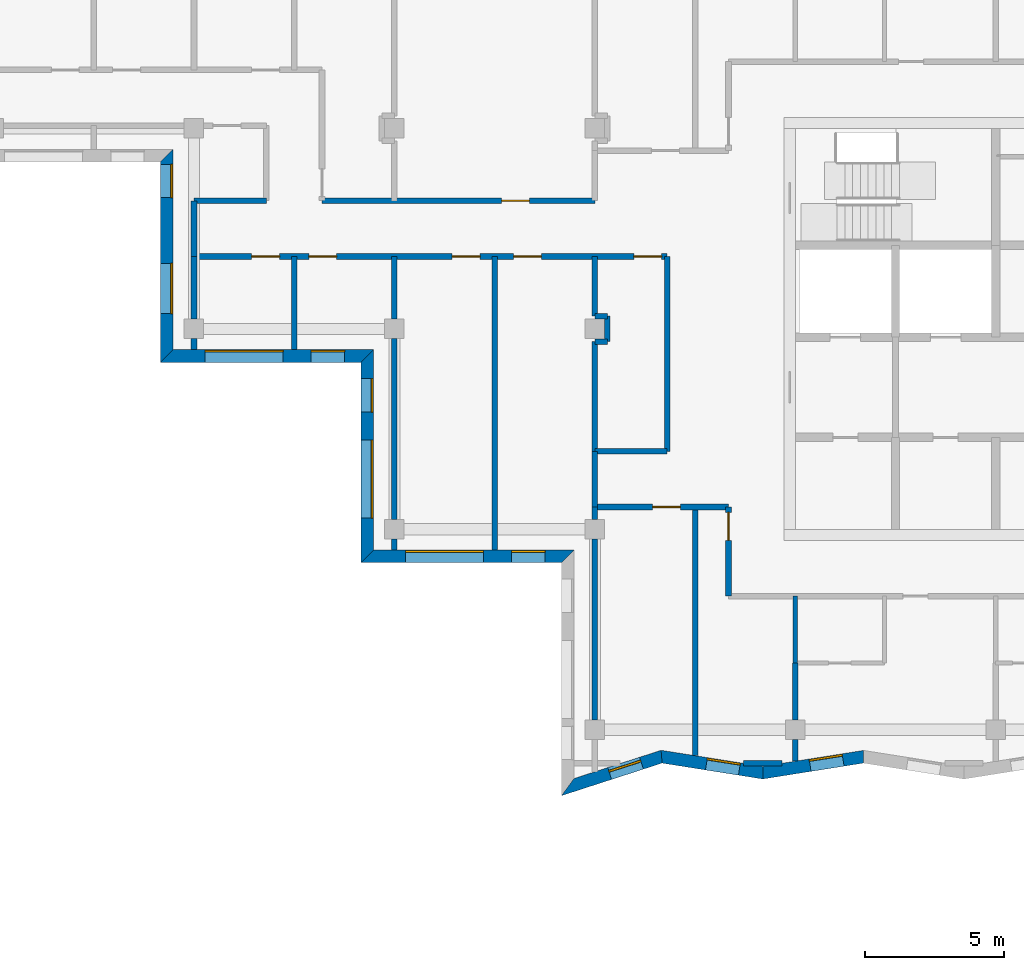
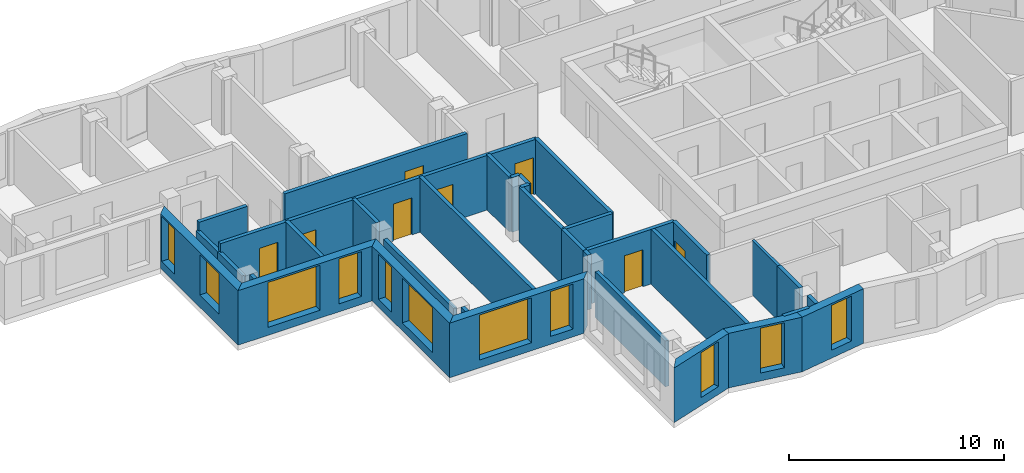
# One storey, part 2 of 12: 35 walls, 11 windows, 8 doors, 19 openings.
"""IFC4 building model written with IfcOpenShell, lengths in metres."""

from ifc_helpers import new_model, si_unit, direction, frame, frame_2d, origin, place, context, subcontext, project, spatial, polyline, rectangle, outline, extrude, material, layer, layer_set, type_object, element, fill, save


model = new_model("IFC4")

# Units and contexts
model_context = context("Model", 3, precision=1e-05, world=origin(), true_north=direction((0.0, 1.0)))
body_context = subcontext(model_context, "Body", "Model", "MODEL_VIEW")
ifc_project = project(units=[si_unit("LENGTHUNIT", "METRE"), si_unit("AREAUNIT", "SQUARE_METRE"), si_unit("VOLUMEUNIT", "CUBIC_METRE"), si_unit("PLANEANGLEUNIT", "RADIAN"), si_unit("MASSUNIT", "GRAM", prefix="KILO")], contexts=[model_context])

# Site, building, storey
site_placement = place(None, origin())
site = spatial("IfcSite", under=ifc_project, at=site_placement, CompositionType="ELEMENT")
building_placement = place(site_placement, origin())
building = spatial("IfcBuilding", under=site, at=building_placement, Name="Windrow Commons", CompositionType="ELEMENT")
storey_placement = place(building_placement, frame((0.0, 0.0, 274.4)))
storey = spatial("IfcBuildingStorey", under=building, at=storey_placement, Name="L75", CompositionType="ELEMENT", Elevation=274.4)

# Wall, openings, windows
ifc_material_1 = material(Name="Brick masonry, red clay brick", Category="masonry")
ifc_layer_1 = layer(ifc_material_1, 0.45)
ifc_layer_set_1 = layer_set([ifc_layer_1], Name="Brick facade wall 450")
wall_type_1 = type_object("IfcWallType", Name="Brick facade wall 450", PredefinedType="SOLIDWALL", material=ifc_layer_set_1)
wall_1_placement = place(storey_placement, frame((35.025, 63.825, 0.0), z_axis=(0.0, 0.0, 1.0), x_axis=(0.0, -1.0, 0.0)))
wall_1 = element("IfcWall", 1, at=wall_1_placement, inside=storey, type_object=wall_type_1, Name="Brick facade wall L75 31", PredefinedType="SOLIDWALL", context=body_context, shape_type="SweptSolid", body=[
    extrude(outline(polyline([(0.225, -0.225), (7.425, -0.225), (6.975, 0.225), (-0.225, 0.225), (0.225, -0.225)])), origin(), (0.0, 0.0, 1.0), 3.1),
])
opening_1_placement = place(wall_1_placement, frame((0.3125, 0.0, 0.45)))
opening_1 = element("IfcOpeningElement", 2, at=opening_1_placement, cuts=wall_1, Name="Opening W7F", PredefinedType="OPENING", context=body_context, shape_type="SweptSolid", body=[
    extrude(rectangle(XDim=1.2, YDim=2.55, at=frame_2d((0.6, 1.275))), frame((0.0, 0.235, 0.0), z_axis=(0.0, -1.0, 0.0), x_axis=(1.0, 0.0, 0.0)), (0.0, 0.0, 1.0), 0.47),
])
opening_2_placement = place(wall_1_placement, frame((3.875, 0.0, 0.7)))
opening_2 = element("IfcOpeningElement", 3, at=opening_2_placement, cuts=wall_1, Name="Opening W1C", PredefinedType="OPENING", context=body_context, shape_type="SweptSolid", body=[
    extrude(rectangle(XDim=1.8, YDim=2.3, at=frame_2d((0.9, 1.15))), frame((0.0, 0.235, 0.0), z_axis=(0.0, -1.0, 0.0), x_axis=(1.0, 0.0, 0.0)), (0.0, 0.0, 1.0), 0.47),
])
ifc_material_2 = material(Name="Clear float glass in anodised aluminium frame", Category="aluminium")
window_type_1 = type_object("IfcWindowType", Name="Window W1 bedroom 1800x2300", PartitioningType="SINGLE_PANEL", PredefinedType="WINDOW", material=ifc_material_2)
window_1_placement = place(opening_2_placement, origin())
window_1 = element("IfcWindow", 4, at=window_1_placement, inside=storey, type_object=window_type_1, Name="Window L75 31.1A", OverallHeight=2.3, OverallWidth=1.8, PartitioningType="SINGLE_PANEL", PredefinedType="WINDOW", context=body_context, shape_type="SweptSolid", body=[
    extrude(rectangle(XDim=1.8, YDim=2.3, at=frame_2d((0.9, 1.15))), frame((0.0, 0.205, 0.0), z_axis=(0.0, -1.0, 0.0), x_axis=(1.0, 0.0, 0.0)), (0.0, 0.0, 1.0), 0.06),
])
fill(opening_2, window_1)
ifc_material_3 = material(Name="Clear float glass in anodised aluminium frame", Category="aluminium")
window_type_2 = type_object("IfcWindowType", Name="Window W7 notch 1200x2550", PartitioningType="SINGLE_PANEL", PredefinedType="WINDOW", material=ifc_material_3)
window_2_placement = place(opening_1_placement, origin())
window_2 = element("IfcWindow", 5, at=window_2_placement, inside=storey, type_object=window_type_2, Name="Window L75 31.2", OverallHeight=2.55, OverallWidth=1.2, PartitioningType="SINGLE_PANEL", PredefinedType="WINDOW", context=body_context, shape_type="SweptSolid", body=[
    extrude(rectangle(XDim=1.2, YDim=2.55, at=frame_2d((0.6, 1.275))), frame((0.0, 0.205, 0.0), z_axis=(0.0, -1.0, 0.0), x_axis=(1.0, 0.0, 0.0)), (0.0, 0.0, 1.0), 0.06),
])
fill(opening_1, window_2)

wall_2_placement = place(storey_placement, frame((35.025, 56.625, 0.0), z_axis=(0.0, 0.0, 1.0), x_axis=(1.0, 0.0, 0.0)))
wall_2 = element("IfcWall", 6, at=wall_2_placement, inside=storey, type_object=wall_type_1, Name="Brick facade wall L75 32", PredefinedType="SOLIDWALL", context=body_context, shape_type="SweptSolid", body=[
    extrude(outline(polyline([(-0.225, -0.225), (6.975, -0.225), (7.425, 0.225), (0.225, 0.225), (-0.225, -0.225)])), origin(), (0.0, 0.0, 1.0), 3.1),
])
opening_3_placement = place(wall_2_placement, frame((1.375, 0.0, 0.45)))
opening_3 = element("IfcOpeningElement", 7, at=opening_3_placement, cuts=wall_2, Name="Opening W1V", PredefinedType="OPENING", context=body_context, shape_type="SweptSolid", body=[
    extrude(rectangle(XDim=2.8, YDim=2.55, at=frame_2d((1.4, 1.275))), frame((0.0, 0.235, 0.0), z_axis=(0.0, -1.0, 0.0), x_axis=(1.0, 0.0, 0.0)), (0.0, 0.0, 1.0), 0.47),
])
opening_4_placement = place(wall_2_placement, frame((5.1875, 0.0, 0.45)))
opening_4 = element("IfcOpeningElement", 8, at=opening_4_placement, cuts=wall_2, Name="Opening W7F", PredefinedType="OPENING", context=body_context, shape_type="SweptSolid", body=[
    extrude(rectangle(XDim=1.2, YDim=2.55, at=frame_2d((0.6, 1.275))), frame((0.0, 0.235, 0.0), z_axis=(0.0, -1.0, 0.0), x_axis=(1.0, 0.0, 0.0)), (0.0, 0.0, 1.0), 0.47),
])
ifc_material_4 = material(Name="Clear float glass in anodised aluminium frame", Category="aluminium")
window_type_3 = type_object("IfcWindowType", Name="Window W1V bedroom 2800x2550", PartitioningType="SINGLE_PANEL", PredefinedType="WINDOW", material=ifc_material_4)
window_3_placement = place(opening_3_placement, origin())
window_3 = element("IfcWindow", 9, at=window_3_placement, inside=storey, type_object=window_type_3, Name="Window L75 32.1", OverallHeight=2.55, OverallWidth=2.8, PartitioningType="SINGLE_PANEL", PredefinedType="WINDOW", context=body_context, shape_type="SweptSolid", body=[
    extrude(rectangle(XDim=2.8, YDim=2.55, at=frame_2d((1.4, 1.275))), frame((0.0, 0.205, 0.0), z_axis=(0.0, -1.0, 0.0), x_axis=(1.0, 0.0, 0.0)), (0.0, 0.0, 1.0), 0.06),
])
fill(opening_3, window_3)
window_4_placement = place(opening_4_placement, origin())
window_4 = element("IfcWindow", 10, at=window_4_placement, inside=storey, type_object=window_type_2, Name="Window L75 32.2", OverallHeight=2.55, OverallWidth=1.2, PartitioningType="SINGLE_PANEL", PredefinedType="WINDOW", context=body_context, shape_type="SweptSolid", body=[
    extrude(rectangle(XDim=1.2, YDim=2.55, at=frame_2d((0.6, 1.275))), frame((0.0, 0.205, 0.0), z_axis=(0.0, -1.0, 0.0), x_axis=(1.0, 0.0, 0.0)), (0.0, 0.0, 1.0), 0.06),
])
fill(opening_4, window_4)

wall_3_placement = place(storey_placement, frame((42.225, 56.625, 0.0), z_axis=(0.0, 0.0, 1.0), x_axis=(0.0, -1.0, 0.0)))
wall_3 = element("IfcWall", 11, at=wall_3_placement, inside=storey, type_object=wall_type_1, Name="Brick facade wall L75 33", PredefinedType="SOLIDWALL", context=body_context, shape_type="SweptSolid", body=[
    extrude(outline(polyline([(0.225, -0.225), (7.425, -0.225), (6.975, 0.225), (-0.225, 0.225), (0.225, -0.225)])), origin(), (0.0, 0.0, 1.0), 3.1),
])
opening_5_placement = place(wall_3_placement, frame((3.025, 0.0, 0.45)))
opening_5 = element("IfcOpeningElement", 12, at=opening_5_placement, cuts=wall_3, Name="Opening W1V", PredefinedType="OPENING", context=body_context, shape_type="SweptSolid", body=[
    extrude(rectangle(XDim=2.8, YDim=2.55, at=frame_2d((1.4, 1.275))), frame((0.0, 0.235, 0.0), z_axis=(0.0, -1.0, 0.0), x_axis=(1.0, 0.0, 0.0)), (0.0, 0.0, 1.0), 0.47),
])
opening_6_placement = place(wall_3_placement, frame((0.8125, 0.0, 0.45)))
opening_6 = element("IfcOpeningElement", 13, at=opening_6_placement, cuts=wall_3, Name="Opening W7F", PredefinedType="OPENING", context=body_context, shape_type="SweptSolid", body=[
    extrude(rectangle(XDim=1.2, YDim=2.55, at=frame_2d((0.6, 1.275))), frame((0.0, 0.235, 0.0), z_axis=(0.0, -1.0, 0.0), x_axis=(1.0, 0.0, 0.0)), (0.0, 0.0, 1.0), 0.47),
])
window_5_placement = place(opening_5_placement, origin())
window_5 = element("IfcWindow", 14, at=window_5_placement, inside=storey, type_object=window_type_3, Name="Window L75 33.1", OverallHeight=2.55, OverallWidth=2.8, PartitioningType="SINGLE_PANEL", PredefinedType="WINDOW", context=body_context, shape_type="SweptSolid", body=[
    extrude(rectangle(XDim=2.8, YDim=2.55, at=frame_2d((1.4, 1.275))), frame((0.0, 0.205, 0.0), z_axis=(0.0, -1.0, 0.0), x_axis=(1.0, 0.0, 0.0)), (0.0, 0.0, 1.0), 0.06),
])
fill(opening_5, window_5)
window_6_placement = place(opening_6_placement, origin())
window_6 = element("IfcWindow", 15, at=window_6_placement, inside=storey, type_object=window_type_2, Name="Window L75 33.2", OverallHeight=2.55, OverallWidth=1.2, PartitioningType="SINGLE_PANEL", PredefinedType="WINDOW", context=body_context, shape_type="SweptSolid", body=[
    extrude(rectangle(XDim=1.2, YDim=2.55, at=frame_2d((0.6, 1.275))), frame((0.0, 0.205, 0.0), z_axis=(0.0, -1.0, 0.0), x_axis=(1.0, 0.0, 0.0)), (0.0, 0.0, 1.0), 0.06),
])
fill(opening_6, window_6)

wall_4_placement = place(storey_placement, frame((42.225, 49.425, 0.0), z_axis=(0.0, 0.0, 1.0), x_axis=(1.0, 0.0, 0.0)))
wall_4 = element("IfcWall", 16, at=wall_4_placement, inside=storey, type_object=wall_type_1, Name="Brick facade wall L75 34", PredefinedType="SOLIDWALL", context=body_context, shape_type="SweptSolid", body=[
    extrude(outline(polyline([(-0.225, -0.225), (6.975, -0.225), (7.425, 0.225), (0.225, 0.225), (-0.225, -0.225)])), origin(), (0.0, 0.0, 1.0), 3.1),
])
opening_7_placement = place(wall_4_placement, frame((1.375, 0.0, 0.45)))
opening_7 = element("IfcOpeningElement", 17, at=opening_7_placement, cuts=wall_4, Name="Opening W1V", PredefinedType="OPENING", context=body_context, shape_type="SweptSolid", body=[
    extrude(rectangle(XDim=2.8, YDim=2.55, at=frame_2d((1.4, 1.275))), frame((0.0, 0.235, 0.0), z_axis=(0.0, -1.0, 0.0), x_axis=(1.0, 0.0, 0.0)), (0.0, 0.0, 1.0), 0.47),
])
opening_8_placement = place(wall_4_placement, frame((5.1875, 0.0, 0.45)))
opening_8 = element("IfcOpeningElement", 18, at=opening_8_placement, cuts=wall_4, Name="Opening W7F", PredefinedType="OPENING", context=body_context, shape_type="SweptSolid", body=[
    extrude(rectangle(XDim=1.2, YDim=2.55, at=frame_2d((0.6, 1.275))), frame((0.0, 0.235, 0.0), z_axis=(0.0, -1.0, 0.0), x_axis=(1.0, 0.0, 0.0)), (0.0, 0.0, 1.0), 0.47),
])
window_7_placement = place(opening_7_placement, origin())
window_7 = element("IfcWindow", 19, at=window_7_placement, inside=storey, type_object=window_type_3, Name="Window L75 34.1", OverallHeight=2.55, OverallWidth=2.8, PartitioningType="SINGLE_PANEL", PredefinedType="WINDOW", context=body_context, shape_type="SweptSolid", body=[
    extrude(rectangle(XDim=2.8, YDim=2.55, at=frame_2d((1.4, 1.275))), frame((0.0, 0.205, 0.0), z_axis=(0.0, -1.0, 0.0), x_axis=(1.0, 0.0, 0.0)), (0.0, 0.0, 1.0), 0.06),
])
fill(opening_7, window_7)
window_8_placement = place(opening_8_placement, origin())
window_8 = element("IfcWindow", 20, at=window_8_placement, inside=storey, type_object=window_type_2, Name="Window L75 34.2", OverallHeight=2.55, OverallWidth=1.2, PartitioningType="SINGLE_PANEL", PredefinedType="WINDOW", context=body_context, shape_type="SweptSolid", body=[
    extrude(rectangle(XDim=1.2, YDim=2.55, at=frame_2d((0.6, 1.275))), frame((0.0, 0.205, 0.0), z_axis=(0.0, -1.0, 0.0), x_axis=(1.0, 0.0, 0.0)), (0.0, 0.0, 1.0), 0.06),
])
fill(opening_8, window_8)

# Wall, opening, window
wall_5_placement = place(storey_placement, frame((49.425, 41.1374, 0.0), z_axis=(0.0, 0.0, 1.0), x_axis=(0.9512735834, 0.3083481303, 0.0)))
wall_5 = element("IfcWall", 21, at=wall_5_placement, inside=storey, type_object=wall_type_1, Name="Brick facade wall L75 36", PredefinedType="SOLIDWALL", context=body_context, shape_type="SweptSolid", body=[
    extrude(outline(polyline([(-0.3094, -0.225), (3.4917, -0.225), (3.5995, 0.225), (0.3094, 0.225), (-0.3094, -0.225)])), origin(), (0.0, 0.0, 1.0), 3.1),
])
opening_9_placement = place(wall_5_placement, frame((1.5853, 0.0, 0.45)))
opening_9 = element("IfcOpeningElement", 22, at=opening_9_placement, cuts=wall_5, Name="Opening W7F", PredefinedType="OPENING", context=body_context, shape_type="SweptSolid", body=[
    extrude(rectangle(XDim=1.2, YDim=2.55, at=frame_2d((0.6, 1.275))), frame((0.0, 0.235, 0.0), z_axis=(0.0, -1.0, 0.0), x_axis=(1.0, 0.0, 0.0)), (0.0, 0.0, 1.0), 0.47),
])
window_9_placement = place(opening_9_placement, origin())
window_9 = element("IfcWindow", 23, at=window_9_placement, inside=storey, type_object=window_type_2, Name="Window L75 36.1", OverallHeight=2.55, OverallWidth=1.2, PartitioningType="SINGLE_PANEL", PredefinedType="WINDOW", context=body_context, shape_type="SweptSolid", body=[
    extrude(rectangle(XDim=1.2, YDim=2.55, at=frame_2d((0.6, 1.275))), frame((0.0, 0.115, 0.0), z_axis=(0.0, -1.0, 0.0), x_axis=(1.0, 0.0, 0.0)), (0.0, 0.0, 1.0), 0.06),
])
fill(opening_9, window_9)

wall_6_placement = place(storey_placement, frame((52.7979, 42.2307, 0.0), z_axis=(0.0, 0.0, 1.0), x_axis=(0.9877170854, -0.1562528693, 0.0)))
wall_6 = element("IfcWall", 24, at=wall_6_placement, inside=storey, type_object=wall_type_1, Name="Brick facade wall L75 37", PredefinedType="SOLIDWALL", context=body_context, shape_type="SweptSolid", body=[
    extrude(outline(polyline([(0.0539, -0.225), (3.7149, -0.225), (3.6437, 0.225), (-0.0539, 0.225), (0.0539, -0.225)])), origin(), (0.0, 0.0, 1.0), 3.1),
])
opening_10_placement = place(wall_6_placement, frame((1.6304, 0.0, 0.45)))
opening_10 = element("IfcOpeningElement", 25, at=opening_10_placement, cuts=wall_6, Name="Opening W7F", PredefinedType="OPENING", context=body_context, shape_type="SweptSolid", body=[
    extrude(rectangle(XDim=1.2, YDim=2.55, at=frame_2d((0.6, 1.275))), frame((0.0, 0.235, 0.0), z_axis=(0.0, -1.0, 0.0), x_axis=(1.0, 0.0, 0.0)), (0.0, 0.0, 1.0), 0.47),
])
window_10_placement = place(opening_10_placement, origin())
window_10 = element("IfcWindow", 26, at=window_10_placement, inside=storey, type_object=window_type_2, Name="Window L75 37.1", OverallHeight=2.55, OverallWidth=1.2, PartitioningType="SINGLE_PANEL", PredefinedType="WINDOW", context=body_context, shape_type="SweptSolid", body=[
    extrude(rectangle(XDim=1.2, YDim=2.55, at=frame_2d((0.6, 1.275))), frame((0.0, 0.205, 0.0), z_axis=(0.0, -1.0, 0.0), x_axis=(1.0, 0.0, 0.0)), (0.0, 0.0, 1.0), 0.06),
])
fill(opening_10, window_10)

wall_7_placement = place(storey_placement, frame((56.432, 41.6558, 0.0), z_axis=(0.0, 0.0, 1.0), x_axis=(0.9877186305, 0.156243102, 0.0)))
wall_7 = element("IfcWall", 27, at=wall_7_placement, inside=storey, type_object=wall_type_1, Name="Brick facade wall L75 38", PredefinedType="SOLIDWALL", context=body_context, shape_type="SweptSolid", body=[
    extrude(outline(polyline([(-0.0356, -0.225), (3.6254, -0.225), (3.6965, 0.225), (0.0356, 0.225), (-0.0356, -0.225)])), origin(), (0.0, 0.0, 1.0), 3.1),
])
opening_11_placement = place(wall_7_placement, frame((1.7217, 0.0, 0.45)))
opening_11 = element("IfcOpeningElement", 28, at=opening_11_placement, cuts=wall_7, Name="Opening W7F", PredefinedType="OPENING", context=body_context, shape_type="SweptSolid", body=[
    extrude(rectangle(XDim=1.2, YDim=2.55, at=frame_2d((0.6, 1.275))), frame((0.0, 0.235, 0.0), z_axis=(0.0, -1.0, 0.0), x_axis=(1.0, 0.0, 0.0)), (0.0, 0.0, 1.0), 0.47),
])
window_11_placement = place(opening_11_placement, origin())
window_11 = element("IfcWindow", 29, at=window_11_placement, inside=storey, type_object=window_type_2, Name="Window L75 38.1", OverallHeight=2.55, OverallWidth=1.2, PartitioningType="SINGLE_PANEL", PredefinedType="WINDOW", context=body_context, shape_type="SweptSolid", body=[
    extrude(rectangle(XDim=1.2, YDim=2.55, at=frame_2d((0.6, 1.275))), frame((0.0, 0.205, 0.0), z_axis=(0.0, -1.0, 0.0), x_axis=(1.0, 0.0, 0.0)), (0.0, 0.0, 1.0), 0.06),
])
fill(opening_11, window_11)

# Wall, openings, doors
ifc_material_5 = material(Name="Blockwork partition", Category="masonry")
ifc_layer_2 = layer(ifc_material_5, 0.2)
ifc_layer_set_2 = layer_set([ifc_layer_2], Name="IW-CORRIDOR-200")
wall_type_2 = type_object("IfcWallType", Name="IW-CORRIDOR-200", PredefinedType="PARTITIONING", material=ifc_layer_set_2)
wall_8_placement = place(storey_placement, frame((36.0, 60.2, 0.0), z_axis=(0.0, 0.0, 1.0), x_axis=(1.0, 0.0, 0.0)))
wall_8 = element("IfcWall", 30, at=wall_8_placement, inside=storey, type_object=wall_type_2, Name="W-L75-W002", PredefinedType="PARTITIONING", context=body_context, shape_type="SweptSolid", body=[
    extrude(rectangle(XDim=17.0, YDim=0.2, at=frame_2d((8.5, 0.0))), origin(), (0.0, 0.0, 1.0), 3.1),
])
opening_12_placement = place(wall_8_placement, frame((15.8022, 0.0, 0.0)))
opening_12 = element("IfcOpeningElement", 31, at=opening_12_placement, cuts=wall_8, Name="Opening D410F", PredefinedType="OPENING", context=body_context, shape_type="SweptSolid", body=[
    extrude(rectangle(XDim=1.0, YDim=2.1, at=frame_2d((0.5, 1.05))), frame((0.0, 0.11, 0.0), z_axis=(0.0, -1.0, 0.0), x_axis=(1.0, 0.0, 0.0)), (0.0, 0.0, 1.0), 0.22),
])
opening_13_placement = place(wall_8_placement, frame((2.075, 0.0, 0.0)))
opening_13 = element("IfcOpeningElement", 32, at=opening_13_placement, cuts=wall_8, Name="Opening D310F", PredefinedType="OPENING", context=body_context, shape_type="SweptSolid", body=[
    extrude(rectangle(XDim=1.0, YDim=2.1, at=frame_2d((0.5, 1.05))), frame((0.0, 0.11, 0.0), z_axis=(0.0, -1.0, 0.0), x_axis=(1.0, 0.0, 0.0)), (0.0, 0.0, 1.0), 0.22),
])
opening_14_placement = place(wall_8_placement, frame((4.125, 0.0, 0.0)))
opening_14 = element("IfcOpeningElement", 33, at=opening_14_placement, cuts=wall_8, Name="Opening D310F", PredefinedType="OPENING", context=body_context, shape_type="SweptSolid", body=[
    extrude(rectangle(XDim=1.0, YDim=2.1, at=frame_2d((0.5, 1.05))), frame((0.0, 0.11, 0.0), z_axis=(0.0, -1.0, 0.0), x_axis=(1.0, 0.0, 0.0)), (0.0, 0.0, 1.0), 0.22),
])
opening_15_placement = place(wall_8_placement, frame((9.275, 0.0, 0.0)))
opening_15 = element("IfcOpeningElement", 34, at=opening_15_placement, cuts=wall_8, Name="Opening D310F", PredefinedType="OPENING", context=body_context, shape_type="SweptSolid", body=[
    extrude(rectangle(XDim=1.0, YDim=2.1, at=frame_2d((0.5, 1.05))), frame((0.0, 0.11, 0.0), z_axis=(0.0, -1.0, 0.0), x_axis=(1.0, 0.0, 0.0)), (0.0, 0.0, 1.0), 0.22),
])
opening_16_placement = place(wall_8_placement, frame((11.48, 0.0, 0.0)))
opening_16 = element("IfcOpeningElement", 35, at=opening_16_placement, cuts=wall_8, Name="Opening D310F", PredefinedType="OPENING", context=body_context, shape_type="SweptSolid", body=[
    extrude(rectangle(XDim=1.0, YDim=2.1, at=frame_2d((0.5, 1.05))), frame((0.0, 0.11, 0.0), z_axis=(0.0, -1.0, 0.0), x_axis=(1.0, 0.0, 0.0)), (0.0, 0.0, 1.0), 0.22),
])
ifc_material_6 = material(Name="Timber door leaf", Category="wood")
door_type_1 = type_object("IfcDoorType", Name="DT-AMENITY-1000", OperationType="SINGLE_SWING_LEFT", PredefinedType="DOOR", material=ifc_material_6)
door_1_placement = place(opening_13_placement, origin())
door_1 = element("IfcDoor", 36, at=door_1_placement, inside=storey, type_object=door_type_1, Name="D-L75-D015", OperationType="SINGLE_SWING_LEFT", OverallHeight=2.1, OverallWidth=1.0, PredefinedType="DOOR", context=body_context, shape_type="SweptSolid", body=[
    extrude(rectangle(XDim=1.0, YDim=2.1, at=frame_2d((0.5, 1.05))), frame((0.0, 0.025, 0.0), z_axis=(0.0, -1.0, 0.0), x_axis=(1.0, 0.0, 0.0)), (0.0, 0.0, 1.0), 0.05),
])
fill(opening_13, door_1)
door_2_placement = place(opening_14_placement, origin())
door_2 = element("IfcDoor", 37, at=door_2_placement, inside=storey, type_object=door_type_1, Name="D-L75-D016", OperationType="SINGLE_SWING_RIGHT", OverallHeight=2.1, OverallWidth=1.0, PredefinedType="DOOR", context=body_context, shape_type="SweptSolid", body=[
    extrude(rectangle(XDim=1.0, YDim=2.1, at=frame_2d((0.5, 1.05))), frame((0.0, 0.025, 0.0), z_axis=(0.0, -1.0, 0.0), x_axis=(1.0, 0.0, 0.0)), (0.0, 0.0, 1.0), 0.05),
])
fill(opening_14, door_2)
door_3_placement = place(opening_15_placement, origin())
door_3 = element("IfcDoor", 38, at=door_3_placement, inside=storey, type_object=door_type_1, Name="D-L75-D017", OperationType="SINGLE_SWING_LEFT", OverallHeight=2.1, OverallWidth=1.0, PredefinedType="DOOR", context=body_context, shape_type="SweptSolid", body=[
    extrude(rectangle(XDim=1.0, YDim=2.1, at=frame_2d((0.5, 1.05))), frame((0.0, 0.025, 0.0), z_axis=(0.0, -1.0, 0.0), x_axis=(1.0, 0.0, 0.0)), (0.0, 0.0, 1.0), 0.05),
])
fill(opening_15, door_3)
door_4_placement = place(opening_16_placement, origin())
door_4 = element("IfcDoor", 39, at=door_4_placement, inside=storey, type_object=door_type_1, Name="D-L75-D020", OperationType="SINGLE_SWING_RIGHT", OverallHeight=2.1, OverallWidth=1.0, PredefinedType="DOOR", context=body_context, shape_type="SweptSolid", body=[
    extrude(rectangle(XDim=1.0, YDim=2.1, at=frame_2d((0.5, 1.05))), frame((0.0, 0.025, 0.0), z_axis=(0.0, -1.0, 0.0), x_axis=(1.0, 0.0, 0.0)), (0.0, 0.0, 1.0), 0.05),
])
fill(opening_16, door_4)
ifc_material_7 = material(Name="Timber door leaf", Category="wood")
door_type_2 = type_object("IfcDoorType", Name="DT-SERVICE-1000", OperationType="SINGLE_SWING_LEFT", PredefinedType="DOOR", material=ifc_material_7)
door_5_placement = place(opening_12_placement, origin())
door_5 = element("IfcDoor", 40, at=door_5_placement, inside=storey, type_object=door_type_2, Name="D-L75-D000", OperationType="SINGLE_SWING_LEFT", OverallHeight=2.1, OverallWidth=1.0, PredefinedType="DOOR", context=body_context, shape_type="SweptSolid", body=[
    extrude(rectangle(XDim=1.0, YDim=2.1, at=frame_2d((0.5, 1.05))), frame((0.0, 0.025, 0.0), z_axis=(0.0, -1.0, 0.0), x_axis=(1.0, 0.0, 0.0)), (0.0, 0.0, 1.0), 0.05),
])
fill(opening_12, door_5)

# Wall, opening, door
wall_9_placement = place(storey_placement, frame((40.602, 62.2, 0.0), z_axis=(0.0, 0.0, 1.0), x_axis=(1.0, 0.0, 0.0)))
wall_9 = element("IfcWall", 41, at=wall_9_placement, inside=storey, type_object=wall_type_2, Name="W-L75-W006", PredefinedType="PARTITIONING", context=body_context, shape_type="SweptSolid", body=[
    extrude(rectangle(XDim=9.798, YDim=0.2, at=frame_2d((4.899, 0.0))), origin(), (0.0, 0.0, 1.0), 3.1),
])
opening_17_placement = place(wall_9_placement, frame((6.446, 0.0, 0.0)))
opening_17 = element("IfcOpeningElement", 42, at=opening_17_placement, cuts=wall_9, Name="Opening D310F", PredefinedType="OPENING", context=body_context, shape_type="SweptSolid", body=[
    extrude(rectangle(XDim=1.0, YDim=2.1, at=frame_2d((0.5, 1.05))), frame((0.0, 0.11, 0.0), z_axis=(0.0, -1.0, 0.0), x_axis=(1.0, 0.0, 0.0)), (0.0, 0.0, 1.0), 0.22),
])
door_6_placement = place(opening_17_placement, origin())
door_6 = element("IfcDoor", 43, at=door_6_placement, inside=storey, type_object=door_type_1, Name="D-L75-D019", OperationType="SINGLE_SWING_RIGHT", OverallHeight=2.1, OverallWidth=1.0, PredefinedType="DOOR", context=body_context, shape_type="SweptSolid", body=[
    extrude(rectangle(XDim=1.0, YDim=2.1, at=frame_2d((0.5, 1.05))), frame((0.0, 0.025, 0.0), z_axis=(0.0, -1.0, 0.0), x_axis=(1.0, 0.0, 0.0)), (0.0, 0.0, 1.0), 0.05),
])
fill(opening_17, door_6)

# Wall
wall_10_placement = place(storey_placement, frame((53.0, 53.202, 0.0), z_axis=(0.0, 0.0, 1.0), x_axis=(0.0, 1.0, 0.0)))
element("IfcWall", 44, at=wall_10_placement, inside=storey, type_object=wall_type_2, Name="W-L75-W016", PredefinedType="PARTITIONING", context=body_context, shape_type="SweptSolid", body=[
    extrude(rectangle(XDim=6.998, YDim=0.2, at=frame_2d((3.499, 0.0))), origin(), (0.0, 0.0, 1.0), 3.1),
])

# Wall, opening, door
wall_11_placement = place(storey_placement, frame((50.4, 51.2, 0.0), z_axis=(0.0, 0.0, 1.0), x_axis=(1.0, 0.0, 0.0)))
wall_11 = element("IfcWall", 45, at=wall_11_placement, inside=storey, type_object=wall_type_2, Name="W-L75-W030", PredefinedType="PARTITIONING", context=body_context, shape_type="SweptSolid", body=[
    extrude(rectangle(XDim=4.8, YDim=0.2, at=frame_2d((2.4, 0.0))), origin(), (0.0, 0.0, 1.0), 3.1),
])
opening_18_placement = place(wall_11_placement, frame((2.075, 0.0, 0.0)))
opening_18 = element("IfcOpeningElement", 46, at=opening_18_placement, cuts=wall_11, Name="Opening D310F", PredefinedType="OPENING", context=body_context, shape_type="SweptSolid", body=[
    extrude(rectangle(XDim=1.0, YDim=2.1, at=frame_2d((0.5, 1.05))), frame((0.0, 0.11, 0.0), z_axis=(0.0, -1.0, 0.0), x_axis=(1.0, 0.0, 0.0)), (0.0, 0.0, 1.0), 0.22),
])
door_7_placement = place(opening_18_placement, origin())
door_7 = element("IfcDoor", 47, at=door_7_placement, inside=storey, type_object=door_type_1, Name="D-L75-D021", OperationType="SINGLE_SWING_LEFT", OverallHeight=2.1, OverallWidth=1.0, PredefinedType="DOOR", context=body_context, shape_type="SweptSolid", body=[
    extrude(rectangle(XDim=1.0, YDim=2.1, at=frame_2d((0.5, 1.05))), frame((0.0, 0.025, 0.0), z_axis=(0.0, -1.0, 0.0), x_axis=(1.0, 0.0, 0.0)), (0.0, 0.0, 1.0), 0.05),
])
fill(opening_18, door_7)

wall_12_placement = place(storey_placement, frame((55.2, 48.0, 0.0), z_axis=(0.0, 0.0, 1.0), x_axis=(0.0, 1.0, 0.0)))
wall_12 = element("IfcWall", 48, at=wall_12_placement, inside=storey, type_object=wall_type_2, Name="W-L75-W053", PredefinedType="PARTITIONING", context=body_context, shape_type="SweptSolid", body=[
    extrude(rectangle(XDim=3.2, YDim=0.2, at=frame_2d((1.6, 0.0))), origin(), (0.0, 0.0, 1.0), 3.1),
])
opening_19_placement = place(wall_12_placement, frame((2.0043, 0.0, 0.0)))
opening_19 = element("IfcOpeningElement", 49, at=opening_19_placement, cuts=wall_12, Name="Opening D310F", PredefinedType="OPENING", context=body_context, shape_type="SweptSolid", body=[
    extrude(rectangle(XDim=1.0, YDim=2.1, at=frame_2d((0.5, 1.05))), frame((0.0, 0.11, 0.0), z_axis=(0.0, -1.0, 0.0), x_axis=(1.0, 0.0, 0.0)), (0.0, 0.0, 1.0), 0.22),
])
door_8_placement = place(opening_19_placement, origin())
door_8 = element("IfcDoor", 50, at=door_8_placement, inside=storey, type_object=door_type_1, Name="D-L75-D022", OperationType="SINGLE_SWING_RIGHT", OverallHeight=2.1, OverallWidth=1.0, PredefinedType="DOOR", context=body_context, shape_type="SweptSolid", body=[
    extrude(rectangle(XDim=1.0, YDim=2.1, at=frame_2d((0.5, 1.05))), frame((0.0, 0.025, 0.0), z_axis=(0.0, -1.0, 0.0), x_axis=(1.0, 0.0, 0.0)), (0.0, 0.0, 1.0), 0.05),
])
fill(opening_19, door_8)

# Walls
wall_13_placement = place(storey_placement, frame((50.4, 53.2, 0.0), z_axis=(0.0, 0.0, 1.0), x_axis=(1.0, 0.0, 0.0)))
element("IfcWall", 51, at=wall_13_placement, inside=storey, type_object=wall_type_2, Name="W-L75-W067", PredefinedType="PARTITIONING", context=body_context, shape_type="SweptSolid", body=[
    extrude(rectangle(XDim=2.6, YDim=0.2, at=frame_2d((1.3, 0.0))), origin(), (0.0, 0.0, 1.0), 3.1),
])
wall_14_placement = place(storey_placement, frame((36.002, 62.2, 0.0), z_axis=(0.0, 0.0, 1.0), x_axis=(1.0, 0.0, 0.0)))
element("IfcWall", 52, at=wall_14_placement, inside=storey, type_object=wall_type_2, Name="W-L75-W068", PredefinedType="PARTITIONING", context=body_context, shape_type="SweptSolid", body=[
    extrude(rectangle(XDim=2.598, YDim=0.2, at=frame_2d((1.299, 0.0))), origin(), (0.0, 0.0, 1.0), 3.1),
])
wall_15_placement = place(storey_placement, frame((36.0, 60.2, 0.0), z_axis=(0.0, 0.0, 1.0), x_axis=(0.0, 1.0, 0.0)))
element("IfcWall", 53, at=wall_15_placement, inside=storey, type_object=wall_type_2, Name="W-L75-W088", PredefinedType="PARTITIONING", context=body_context, shape_type="SweptSolid", body=[
    extrude(rectangle(XDim=2.0, YDim=0.2, at=frame_2d((1.0, 0.0))), origin(), (0.0, 0.0, 1.0), 2.6),
])
wall_16_placement = place(storey_placement, frame((50.4, 51.2, 0.0), z_axis=(0.0, 0.0, 1.0), x_axis=(0.0, 1.0, 0.0)))
element("IfcWall", 54, at=wall_16_placement, inside=storey, type_object=wall_type_2, Name="W-L75-W089", PredefinedType="PARTITIONING", context=body_context, shape_type="SweptSolid", body=[
    extrude(rectangle(XDim=2.0, YDim=0.2, at=frame_2d((1.0, 0.0))), origin(), (0.0, 0.0, 1.0), 3.1),
])
ifc_material_8 = material(Name="Blockwork partition", Category="masonry")
ifc_layer_3 = layer(ifc_material_8, 0.15)
ifc_layer_set_3 = layer_set([ifc_layer_3], Name="IW-ENSUITE-150")
wall_type_3 = type_object("IfcWallType", Name="IW-ENSUITE-150", PredefinedType="PARTITIONING", material=ifc_layer_set_3)
wall_17_placement = place(storey_placement, frame((57.6, 45.6, 0.0), z_axis=(0.0, 0.0, 1.0), x_axis=(0.0, 1.0, 0.0)))
element("IfcWall", 55, at=wall_17_placement, inside=storey, type_object=wall_type_3, Name="W-L75-W073", PredefinedType="PARTITIONING", context=body_context, shape_type="SweptSolid", body=[
    extrude(rectangle(XDim=2.4, YDim=0.15, at=frame_2d((1.2, 0.0))), origin(), (0.0, 0.0, 1.0), 3.1),
])
ifc_material_9 = material(Name="Blockwork partition", Category="masonry")
ifc_layer_4 = layer(ifc_material_9, 0.2)
ifc_layer_set_4 = layer_set([ifc_layer_4], Name="IW-PARTY-200")
wall_type_4 = type_object("IfcWallType", Name="IW-PARTY-200", PredefinedType="PARTITIONING", material=ifc_layer_set_4)
wall_18_placement = place(storey_placement, frame((46.8, 49.65, 0.0), z_axis=(0.0, 0.0, 1.0), x_axis=(0.0, 1.0, 0.0)))
element("IfcWall", 56, at=wall_18_placement, inside=storey, type_object=wall_type_4, Name="W-L75-W004", PredefinedType="PARTITIONING", context=body_context, shape_type="SweptSolid", body=[
    extrude(rectangle(XDim=10.55, YDim=0.2, at=frame_2d((5.275, 0.0))), origin(), (0.0, 0.0, 1.0), 3.1),
])
wall_19_placement = place(storey_placement, frame((54.0, 42.2683, 0.0), z_axis=(0.0, 0.0, 1.0), x_axis=(0.0, 1.0, 0.0)))
element("IfcWall", 57, at=wall_19_placement, inside=storey, type_object=wall_type_4, Name="W-L75-W008", PredefinedType="PARTITIONING", context=body_context, shape_type="SweptSolid", body=[
    extrude(rectangle(XDim=8.9317, YDim=0.2, at=frame_2d((4.4658, 0.0))), origin(), (0.0, 0.0, 1.0), 3.1),
])
for number, where, z_axis, x_axis, name in (
    (58, (43.2, 50.75, 0.0), (0.0, 0.0, 1.0), (0.0, 1.0, 0.0), "W-L75-W019"),
    (59, (50.4, 43.55, 0.0), (0.0, 0.0, 1.0), (0.0, 1.0, 0.0), "W-L75-W020"),
):
    element("IfcWall", number, at=place(storey_placement, frame(where, z_axis=z_axis, x_axis=x_axis)), inside=storey, type_object=wall_type_4, Name=name, PredefinedType="PARTITIONING", context=body_context, shape_type="SweptSolid", body=[
        extrude(rectangle(XDim=6.5, YDim=0.2, at=frame_2d((3.25, 0.0))), origin(), (0.0, 0.0, 1.0), 2.6),
    ])
wall_20_placement = place(storey_placement, frame((50.4, 53.2, 0.0), z_axis=(0.0, 0.0, 1.0), x_axis=(0.0, 1.0, 0.0)))
element("IfcWall", 60, at=wall_20_placement, inside=storey, type_object=wall_type_4, Name="W-L75-W048", PredefinedType="PARTITIONING", context=body_context, shape_type="SweptSolid", body=[
    extrude(rectangle(XDim=3.944, YDim=0.2, at=frame_2d((1.972, 0.0))), origin(), (0.0, 0.0, 1.0), 3.1),
])
wall_21_placement = place(storey_placement, frame((39.6, 56.85, 0.0), z_axis=(0.0, 0.0, 1.0), x_axis=(0.0, 1.0, 0.0)))
element("IfcWall", 61, at=wall_21_placement, inside=storey, type_object=wall_type_4, Name="W-L75-W050", PredefinedType="PARTITIONING", context=body_context, shape_type="SweptSolid", body=[
    extrude(rectangle(XDim=3.35, YDim=0.2, at=frame_2d((1.675, 0.0))), origin(), (0.0, 0.0, 1.0), 3.1),
])
wall_22_placement = place(storey_placement, frame((36.0, 57.95, 0.0), z_axis=(0.0, 0.0, 1.0), x_axis=(0.0, 1.0, 0.0)))
element("IfcWall", 62, at=wall_22_placement, inside=storey, type_object=wall_type_4, Name="W-L75-W080", PredefinedType="PARTITIONING", context=body_context, shape_type="SweptSolid", body=[
    extrude(rectangle(XDim=2.25, YDim=0.2, at=frame_2d((1.125, 0.0))), origin(), (0.0, 0.0, 1.0), 2.6),
])
wall_23_placement = place(storey_placement, frame((43.2, 57.95, 0.0), z_axis=(0.0, 0.0, 1.0), x_axis=(0.0, 1.0, 0.0)))
element("IfcWall", 63, at=wall_23_placement, inside=storey, type_object=wall_type_4, Name="W-L75-W081", PredefinedType="PARTITIONING", context=body_context, shape_type="SweptSolid", body=[
    extrude(rectangle(XDim=2.25, YDim=0.2, at=frame_2d((1.125, 0.0))), origin(), (0.0, 0.0, 1.0), 3.1),
])
wall_24_placement = place(storey_placement, frame((50.4, 58.056, 0.0), z_axis=(0.0, 0.0, 1.0), x_axis=(0.0, 1.0, 0.0)))
element("IfcWall", 64, at=wall_24_placement, inside=storey, type_object=wall_type_4, Name="W-L75-W083", PredefinedType="PARTITIONING", context=body_context, shape_type="SweptSolid", body=[
    extrude(rectangle(XDim=2.144, YDim=0.2, at=frame_2d((1.072, 0.0))), origin(), (0.0, 0.0, 1.0), 3.1),
])
wall_25_placement = place(storey_placement, frame((57.6, 43.55, 0.0), z_axis=(0.0, 0.0, 1.0), x_axis=(0.0, 1.0, 0.0)))
element("IfcWall", 65, at=wall_25_placement, inside=storey, type_object=wall_type_4, Name="W-L75-W086", PredefinedType="PARTITIONING", context=body_context, shape_type="SweptSolid", body=[
    extrude(rectangle(XDim=2.05, YDim=0.2, at=frame_2d((1.025, 0.0))), origin(), (0.0, 0.0, 1.0), 3.1),
])
wall_26_placement = place(storey_placement, frame((55.7461, 42.0, 0.0), z_axis=(0.0, 0.0, 1.0), x_axis=(1.0, 0.0, 0.0)))
element("IfcWall", 66, at=wall_26_placement, inside=storey, type_object=wall_type_4, Name="W-L75-W105", PredefinedType="PARTITIONING", context=body_context, shape_type="SweptSolid", body=[
    extrude(rectangle(XDim=1.3717, YDim=0.2, at=frame_2d((0.6858, 0.0))), origin(), (0.0, 0.0, 1.0), 3.1),
])
wall_27_placement = place(storey_placement, frame((50.85, 57.144, 0.0), z_axis=(0.0, 0.0, 1.0), x_axis=(0.0, 1.0, 0.0)))
element("IfcWall", 67, at=wall_27_placement, inside=storey, type_object=wall_type_4, Name="W-L75-W108", PredefinedType="PARTITIONING", context=body_context, shape_type="SweptSolid", body=[
    extrude(rectangle(XDim=0.912, YDim=0.2, at=frame_2d((0.456, 0.0))), origin(), (0.0, 0.0, 1.0), 3.1),
])
wall_28_placement = place(storey_placement, frame((57.6, 42.0684, 0.0), z_axis=(0.0, 0.0, 1.0), x_axis=(0.0, 1.0, 0.0)))
element("IfcWall", 68, at=wall_28_placement, inside=storey, type_object=wall_type_4, Name="W-L75-W121", PredefinedType="PARTITIONING", context=body_context, shape_type="SweptSolid", body=[
    extrude(rectangle(XDim=0.7816, YDim=0.2, at=frame_2d((0.3908, 0.0))), origin(), (0.0, 0.0, 1.0), 3.1),
])
for number, where, z_axis, x_axis, name in (
    (69, (50.4, 50.75, 0.0), (0.0, 0.0, 1.0), (0.0, 1.0, 0.0), "W-L75-W147"),
    (70, (50.4, 57.14, 0.0), (0.0, 0.0, 1.0), (1.0, 0.0, 0.0), "W-L75-W148"),
    (71, (50.4, 58.06, 0.0), (0.0, 0.0, 1.0), (1.0, 0.0, 0.0), "W-L75-W149"),
):
    element("IfcWall", number, at=place(storey_placement, frame(where, z_axis=z_axis, x_axis=x_axis)), inside=storey, type_object=wall_type_4, Name=name, PredefinedType="PARTITIONING", context=body_context, shape_type="SweptSolid", body=[
        extrude(rectangle(XDim=0.45, YDim=0.2, at=frame_2d((0.225, 0.0))), origin(), (0.0, 0.0, 1.0), 3.1),
    ])
for number, where, z_axis, x_axis, name in (
    (72, (36.0, 56.85, 0.0), (0.0, 0.0, 1.0), (0.0, 1.0, 0.0), "W-L75-W153"),
    (73, (43.2, 49.65, 0.0), (0.0, 0.0, 1.0), (0.0, 1.0, 0.0), "W-L75-W154"),
):
    element("IfcWall", number, at=place(storey_placement, frame(where, z_axis=z_axis, x_axis=x_axis)), inside=storey, type_object=wall_type_4, Name=name, PredefinedType="PARTITIONING", context=body_context, shape_type="SweptSolid", body=[
        extrude(rectangle(XDim=0.4, YDim=0.2, at=frame_2d((0.2, 0.0))), origin(), (0.0, 0.0, 1.0), 3.1),
    ])

save(model, "model.ifc")
